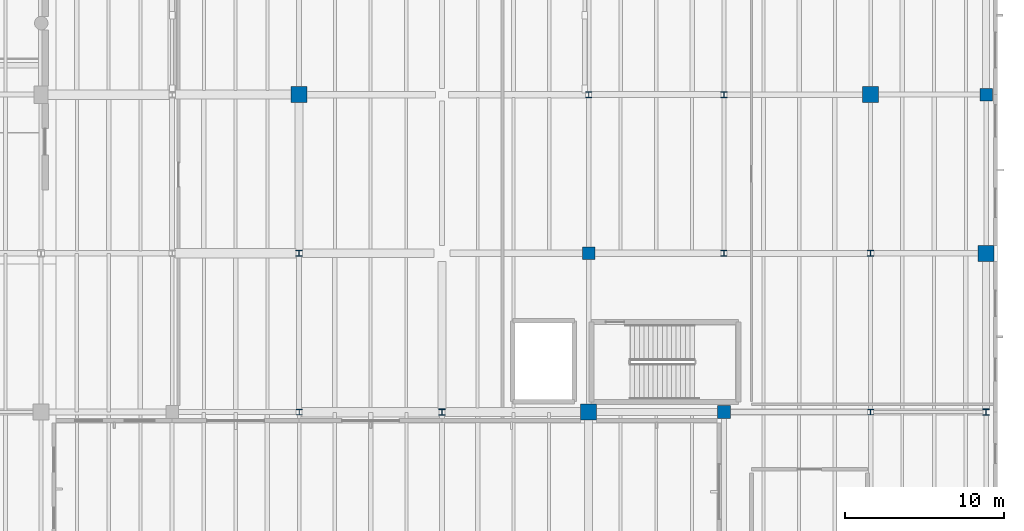
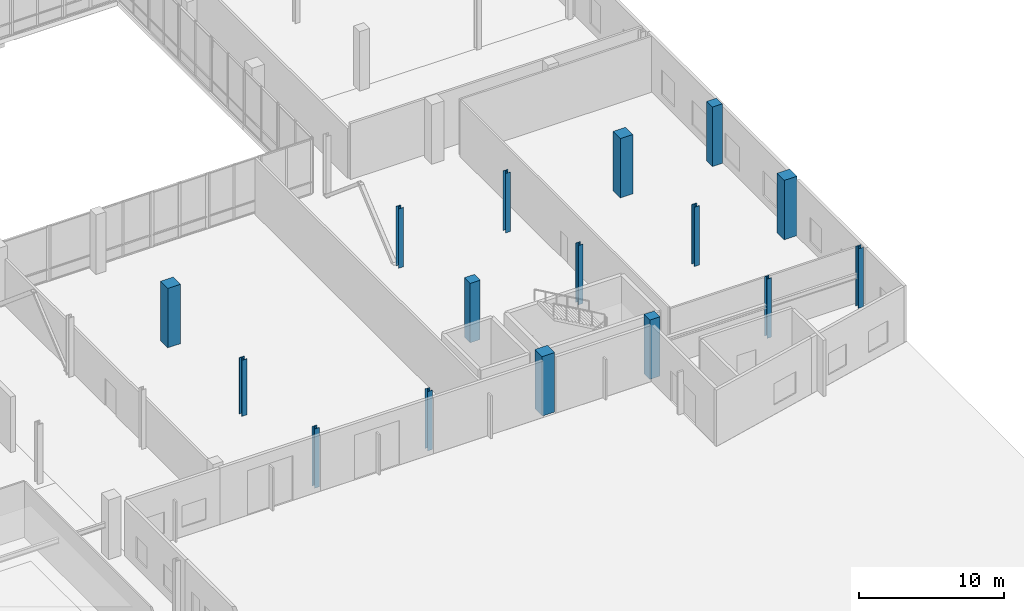
# One storey, part 14 of 88: 16 columns.
"""IFC4 building model written with IfcOpenShell, lengths in metres."""

from ifc_helpers import new_model, si_unit, direction, frame, origin, origin_2d, place, context, subcontext, project, spatial, rectangle, i_section, extrude, material, material_profile, profile_set, type_object, element, save


model = new_model("IFC4")

# Units and contexts
model_context = context("Model", 3, precision=1e-05, world=origin(), true_north=direction((0.0, 1.0)))
body_context = subcontext(model_context, "Body", "Model", "MODEL_VIEW")
ifc_project = project(units=[si_unit("LENGTHUNIT", "METRE"), si_unit("AREAUNIT", "SQUARE_METRE"), si_unit("VOLUMEUNIT", "CUBIC_METRE"), si_unit("PLANEANGLEUNIT", "RADIAN"), si_unit("MASSUNIT", "GRAM", prefix="KILO")], contexts=[model_context])

# Site, building, storey
site_placement = place(None, origin())
site = spatial("IfcSite", under=ifc_project, at=site_placement, CompositionType="ELEMENT")
building_placement = place(site_placement, origin())
building = spatial("IfcBuilding", under=site, at=building_placement, Name="Trimount Lyric Opera House", CompositionType="ELEMENT")
storey_placement = place(building_placement, origin())
storey = spatial("IfcBuildingStorey", under=building, at=storey_placement, Name="L00", CompositionType="ELEMENT", Elevation=0.0)

# Columns
ifc_material_1 = material(Name="Steel ASTM A992 Grade 50", Category="steel")
ifc_material_profile_1 = material_profile(ifc_material_1, i_section(OverallWidth=0.39892578125, OverallDepth=0.385986328125, WebThickness=0.02099609375, FlangeThickness=0.033203125, FilletRadius=0.01611328125, at=origin_2d()), Name="W14X176")
ifc_profile_set_1 = profile_set([ifc_material_profile_1], Name="Steel ASTM A992 Grade 50")
column_type_1 = type_object("IfcColumnType", Name="C-03", PredefinedType="COLUMN", material=ifc_profile_set_1)
column_placement = place(storey_placement, frame((130.0, 54.0, 0.0), z_axis=(0.0, 0.0, 1.0), x_axis=(1.0, 0.0, 0.0)))
element("IfcColumn", 1, at=column_placement, inside=storey, type_object=column_type_1, Name="L00 column 15/G", PredefinedType="COLUMN", context=body_context, shape_type="SweptSolid", body=[
    extrude(i_section(OverallWidth=0.39892578125, OverallDepth=0.385986328125, WebThickness=0.02099609375, FlangeThickness=0.033203125, FilletRadius=0.01611328125, at=origin_2d()), origin(), (0.0, 0.0, 1.0), 4.719970703125),
])
for number, where, z_axis, x_axis, name in (
    (2, (139.0, 44.0, 0.0), (0.0, 0.0, 1.0), (1.0, 0.0, 0.0), "L00 column 16/F"),
    (3, (156.760009765625, 64.0, 0.0), (0.0, 0.0, 1.0), (1.0, 0.0, 0.0), "L00 column 18/H"),
    (4, (166.0, 54.0, 0.0), (0.0, 0.0, 1.0), (1.0, 0.0, 0.0), "L00 column 19/G"),
    (5, (173.280029296875, 44.0, 0.0), (0.0, 0.0, 1.0), (1.0, 0.0, 0.0), "L00 column 20/F"),
):
    element("IfcColumn", number, at=place(storey_placement, frame(where, z_axis=z_axis, x_axis=x_axis)), inside=storey, type_object=column_type_1, Name=name, PredefinedType="COLUMN", context=body_context, shape_type="SweptSolid", body=[
        extrude(i_section(OverallWidth=0.39892578125, OverallDepth=0.385986328125, WebThickness=0.02099609375, FlangeThickness=0.033203125, FilletRadius=0.01611328125, at=origin_2d()), origin(), (0.0, 0.0, 1.0), 5.0),
    ])
ifc_material_2 = material(Name="Steel ASTM A992 Grade 50", Category="steel")
ifc_material_profile_2 = material_profile(ifc_material_2, i_section(OverallWidth=0.373046875, OverallDepth=0.367919921875, WebThickness=0.014892578125, FlangeThickness=0.02392578125, FilletRadius=0.014892578125, at=origin_2d()), Name="W14X120")
ifc_profile_set_2 = profile_set([ifc_material_profile_2], Name="Steel ASTM A992 Grade 50")
column_type_2 = type_object("IfcColumnType", Name="C-08", PredefinedType="COLUMN", material=ifc_profile_set_2)
for number, where, z_axis, x_axis, name in (
    (6, (130.0, 44.0, 0.0), (0.0, 0.0, 1.0), (1.0, 0.0, 0.0), "L00 column 15/F"),
    (7, (148.239990234375, 64.0, 0.0), (0.0, 0.0, 1.0), (1.0, 0.0, 0.0), "L00 column 17/H"),
    (8, (156.760009765625, 54.0, 0.0), (0.0, 0.0, 1.0), (1.0, 0.0, 0.0), "L00 column 18/G"),
    (9, (166.0, 44.0, 0.0), (0.0, 0.0, 1.0), (1.0, 0.0, 0.0), "L00 column 19/F"),
):
    element("IfcColumn", number, at=place(storey_placement, frame(where, z_axis=z_axis, x_axis=x_axis)), inside=storey, type_object=column_type_2, Name=name, PredefinedType="COLUMN", context=body_context, shape_type="SweptSolid", body=[
        extrude(i_section(OverallWidth=0.373046875, OverallDepth=0.367919921875, WebThickness=0.014892578125, FlangeThickness=0.02392578125, FilletRadius=0.014892578125, at=origin_2d()), origin(), (0.0, 0.0, 1.0), 5.0),
    ])
ifc_material_3 = material(Name="Concrete C50/60", Category="concrete")
ifc_material_profile_3 = material_profile(ifc_material_3, rectangle(XDim=1.0, YDim=1.0, at=origin_2d()), Name="RC1000X1000")
ifc_profile_set_3 = profile_set([ifc_material_profile_3], Name="Concrete C50/60")
column_type_3 = type_object("IfcColumnType", Name="C-12", PredefinedType="COLUMN", material=ifc_profile_set_3)
for number, where, z_axis, x_axis, name in (
    (10, (130.0, 64.0, 0.0), (0.0, 0.0, 1.0), (1.0, 0.0, 0.0), "L00 column 15/H"),
    (11, (148.239990234375, 44.0, 0.0), (0.0, 0.0, 1.0), (1.0, 0.0, 0.0), "L00 column 17/F"),
    (12, (166.0, 64.0, 0.0), (0.0, 0.0, 1.0), (1.0, 0.0, 0.0), "L00 column 19/H"),
    (13, (173.280029296875, 54.0, 0.0), (0.0, 0.0, 1.0), (1.0, 0.0, 0.0), "L00 column 20/G"),
):
    element("IfcColumn", number, at=place(storey_placement, frame(where, z_axis=z_axis, x_axis=x_axis)), inside=storey, type_object=column_type_3, Name=name, PredefinedType="COLUMN", context=body_context, shape_type="SweptSolid", body=[
        extrude(rectangle(XDim=1.0, YDim=1.0, at=origin_2d()), origin(), (0.0, 0.0, 1.0), 5.0),
    ])
ifc_material_4 = material(Name="Concrete C40/50", Category="concrete")
ifc_material_profile_4 = material_profile(ifc_material_4, rectangle(XDim=0.800048828125, YDim=0.800048828125, at=origin_2d()), Name="RC800X800")
ifc_profile_set_4 = profile_set([ifc_material_profile_4], Name="Concrete C40/50")
column_type_4 = type_object("IfcColumnType", Name="C-14", PredefinedType="COLUMN", material=ifc_profile_set_4)
for number, where, z_axis, x_axis, name in (
    (14, (148.239990234375, 54.0, 0.0), (0.0, 0.0, 1.0), (1.0, 0.0, 0.0), "L00 column 17/G"),
    (15, (156.760009765625, 44.0, 0.0), (0.0, 0.0, 1.0), (1.0, 0.0, 0.0), "L00 column 18/F"),
    (16, (173.280029296875, 64.0, 0.0), (0.0, 0.0, 1.0), (1.0, 0.0, 0.0), "L00 column 20/H"),
):
    element("IfcColumn", number, at=place(storey_placement, frame(where, z_axis=z_axis, x_axis=x_axis)), inside=storey, type_object=column_type_4, Name=name, PredefinedType="COLUMN", context=body_context, shape_type="SweptSolid", body=[
        extrude(rectangle(XDim=0.800048828125, YDim=0.800048828125, at=origin_2d()), origin(), (0.0, 0.0, 1.0), 5.0),
    ])

save(model, "model.ifc")
